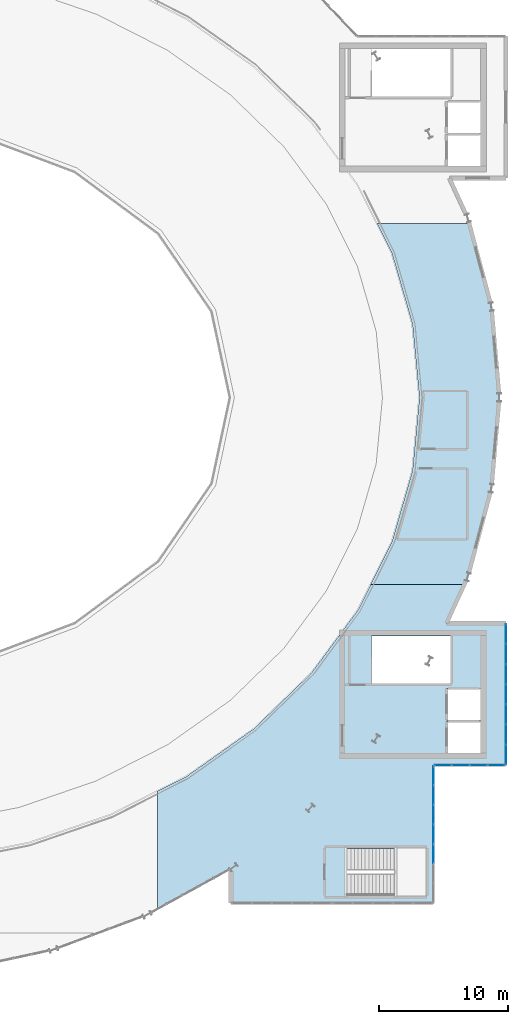
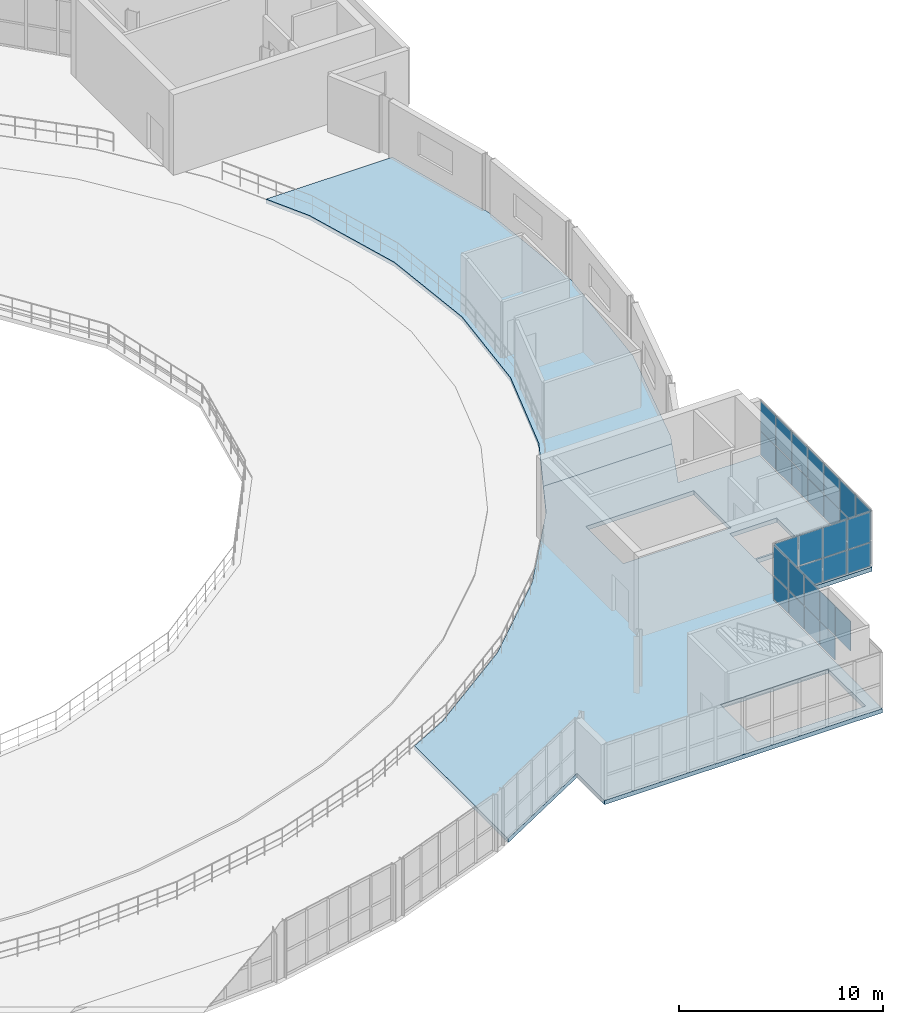
# One storey, part 27 of 40: 31 plates, 2 slabs, 3 elements without a shape of their own.
"""IFC4 building model written with IfcOpenShell, lengths in metres."""

from ifc_helpers import new_model, si_unit, direction, frame, origin, origin_2d, place, context, subcontext, project, spatial, polyline, rectangle, outline, extrude, material, layer, layer_set, type_object, element, aggregate, save


model = new_model("IFC4")

# Units and contexts
model_context = context("Model", 3, precision=1e-05, world=origin(), true_north=direction((0.0, 1.0)))
body_context = subcontext(model_context, "Body", "Model", "MODEL_VIEW")
ifc_project = project(units=[si_unit("LENGTHUNIT", "METRE"), si_unit("AREAUNIT", "SQUARE_METRE"), si_unit("VOLUMEUNIT", "CUBIC_METRE"), si_unit("PLANEANGLEUNIT", "RADIAN"), si_unit("MASSUNIT", "GRAM", prefix="KILO")], contexts=[model_context])

# Site, building, storey
site_placement = place(None, origin())
site = spatial("IfcSite", under=ifc_project, at=site_placement, CompositionType="ELEMENT")
building_placement = place(site_placement, origin())
building = spatial("IfcBuilding", under=site, at=building_placement, Name="Glasvene Arena", CompositionType="ELEMENT")
storey_placement = place(building_placement, frame((0.0, 0.0, 24.0)))
storey = spatial("IfcBuildingStorey", under=building, at=storey_placement, Name="L05", CompositionType="ELEMENT", Elevation=24.0)

# Curtain wall, plates
ifc_material_1 = material(Name="Low-emissivity laminated double glazing", Category="glass")
curtain_wall_type_1 = type_object("IfcCurtainWallType", Name="CW-FAC-L05-1092x332", PredefinedType="USERDEFINED", material=ifc_material_1)
curtain_wall_1_placement = place(storey_placement, frame((142.5, 55.4599609375, 0.0)))
curtain_wall_1 = element("IfcCurtainWall", 1, at=curtain_wall_1_placement, inside=storey, type_object=curtain_wall_type_1, Name="Unitised curtain wall CW-F-L05-150-1425-500-35", ObjectType="CURTAIN WALL", PredefinedType="USERDEFINED")
ifc_layer_1 = layer(ifc_material_1, 0.028076171875)
ifc_layer_set_1 = layer_set([ifc_layer_1], Name="Low-emissivity laminated double glazing")
plate_type = type_object("IfcPlateType", Name="CW-GLZ-28", PredefinedType="CURTAIN_PANEL", material=ifc_layer_set_1)
plate_1_placement = place(storey_placement, frame((142.5, 54.66748046875, 0.10986328125), z_axis=(0.0, 0.0, 1.0), x_axis=(0.0, -1.0, 0.0)))
plate_1 = element("IfcPlate", 2, at=plate_1_placement, type_object=plate_type, Name="CW-055 panel 1.1", PredefinedType="CURTAIN_PANEL", context=body_context, shape_type="SweptSolid", body=[
    extrude(rectangle(XDim=1.485107421875, YDim=0.028076171875, at=origin_2d()), origin(), (0.0, 0.0, 1.0), 1.385986328125),
])
plate_2_placement = place(storey_placement, frame((142.5, 54.66748046875, 1.5458984375), z_axis=(0.0, 0.0, 1.0), x_axis=(0.0, -1.0, 0.0)))
plate_2 = element("IfcPlate", 3, at=plate_2_placement, type_object=plate_type, Name="CW-055 panel 1.2", PredefinedType="CURTAIN_PANEL", context=body_context, shape_type="SweptSolid", body=[
    extrude(rectangle(XDim=1.485107421875, YDim=0.028076171875, at=origin_2d()), origin(), (0.0, 0.0, 1.0), 1.783935546875),
])
plate_3_placement = place(storey_placement, frame((142.5, 53.1201171875, 0.10986328125), z_axis=(0.0, 0.0, 1.0), x_axis=(0.0, -1.0, 0.0)))
plate_3 = element("IfcPlate", 4, at=plate_3_placement, type_object=plate_type, Name="CW-055 panel 2.1", PredefinedType="CURTAIN_PANEL", context=body_context, shape_type="SweptSolid", body=[
    extrude(rectangle(XDim=1.510009765625, YDim=0.028076171875, at=origin_2d()), origin(), (0.0, 0.0, 1.0), 1.385986328125),
])
plate_4_placement = place(storey_placement, frame((142.5, 53.1201171875, 1.5458984375), z_axis=(0.0, 0.0, 1.0), x_axis=(0.0, -1.0, 0.0)))
plate_4 = element("IfcPlate", 5, at=plate_4_placement, type_object=plate_type, Name="CW-055 panel 2.2", PredefinedType="CURTAIN_PANEL", context=body_context, shape_type="SweptSolid", body=[
    extrude(rectangle(XDim=1.510009765625, YDim=0.028076171875, at=origin_2d()), origin(), (0.0, 0.0, 1.0), 1.783935546875),
])
plate_5_placement = place(storey_placement, frame((142.5, 51.56005859375, 0.10986328125), z_axis=(0.0, 0.0, 1.0), x_axis=(0.0, -1.0, 0.0)))
plate_5 = element("IfcPlate", 6, at=plate_5_placement, type_object=plate_type, Name="CW-055 panel 3.1", PredefinedType="CURTAIN_PANEL", context=body_context, shape_type="SweptSolid", body=[
    extrude(rectangle(XDim=1.510009765625, YDim=0.028076171875, at=origin_2d()), origin(), (0.0, 0.0, 1.0), 1.385986328125),
])
plate_6_placement = place(storey_placement, frame((142.5, 51.56005859375, 1.5458984375), z_axis=(0.0, 0.0, 1.0), x_axis=(0.0, -1.0, 0.0)))
plate_6 = element("IfcPlate", 7, at=plate_6_placement, type_object=plate_type, Name="CW-055 panel 3.2", PredefinedType="CURTAIN_PANEL", context=body_context, shape_type="SweptSolid", body=[
    extrude(rectangle(XDim=1.510009765625, YDim=0.028076171875, at=origin_2d()), origin(), (0.0, 0.0, 1.0), 1.783935546875),
])
plate_7_placement = place(storey_placement, frame((142.5, 50.0, 0.10986328125), z_axis=(0.0, 0.0, 1.0), x_axis=(0.0, -1.0, 0.0)))
plate_7 = element("IfcPlate", 8, at=plate_7_placement, type_object=plate_type, Name="CW-055 panel 4.1", PredefinedType="CURTAIN_PANEL", context=body_context, shape_type="SweptSolid", body=[
    extrude(rectangle(XDim=1.510009765625, YDim=0.028076171875, at=origin_2d()), origin(), (0.0, 0.0, 1.0), 1.385986328125),
])
plate_8_placement = place(storey_placement, frame((142.5, 50.0, 1.5458984375), z_axis=(0.0, 0.0, 1.0), x_axis=(0.0, -1.0, 0.0)))
plate_8 = element("IfcPlate", 9, at=plate_8_placement, type_object=plate_type, Name="CW-055 panel 4.2", PredefinedType="CURTAIN_PANEL", context=body_context, shape_type="SweptSolid", body=[
    extrude(rectangle(XDim=1.510009765625, YDim=0.028076171875, at=origin_2d()), origin(), (0.0, 0.0, 1.0), 1.783935546875),
])
plate_9_placement = place(storey_placement, frame((142.5, 48.43994140625, 0.10986328125), z_axis=(0.0, 0.0, 1.0), x_axis=(0.0, -1.0, 0.0)))
plate_9 = element("IfcPlate", 10, at=plate_9_placement, type_object=plate_type, Name="CW-055 panel 5.1", PredefinedType="CURTAIN_PANEL", context=body_context, shape_type="SweptSolid", body=[
    extrude(rectangle(XDim=1.510009765625, YDim=0.028076171875, at=origin_2d()), origin(), (0.0, 0.0, 1.0), 1.385986328125),
])
plate_10_placement = place(storey_placement, frame((142.5, 48.43994140625, 1.5458984375), z_axis=(0.0, 0.0, 1.0), x_axis=(0.0, -1.0, 0.0)))
plate_10 = element("IfcPlate", 11, at=plate_10_placement, type_object=plate_type, Name="CW-055 panel 5.2", PredefinedType="CURTAIN_PANEL", context=body_context, shape_type="SweptSolid", body=[
    extrude(rectangle(XDim=1.510009765625, YDim=0.028076171875, at=origin_2d()), origin(), (0.0, 0.0, 1.0), 1.783935546875),
])
plate_11_placement = place(storey_placement, frame((142.5, 46.8798828125, 0.10986328125), z_axis=(0.0, 0.0, 1.0), x_axis=(0.0, -1.0, 0.0)))
plate_11 = element("IfcPlate", 12, at=plate_11_placement, type_object=plate_type, Name="CW-055 panel 6.1", PredefinedType="CURTAIN_PANEL", context=body_context, shape_type="SweptSolid", body=[
    extrude(rectangle(XDim=1.510009765625, YDim=0.028076171875, at=origin_2d()), origin(), (0.0, 0.0, 1.0), 1.385986328125),
])
plate_12_placement = place(storey_placement, frame((142.5, 46.8798828125, 1.5458984375), z_axis=(0.0, 0.0, 1.0), x_axis=(0.0, -1.0, 0.0)))
plate_12 = element("IfcPlate", 13, at=plate_12_placement, type_object=plate_type, Name="CW-055 panel 6.2", PredefinedType="CURTAIN_PANEL", context=body_context, shape_type="SweptSolid", body=[
    extrude(rectangle(XDim=1.510009765625, YDim=0.028076171875, at=origin_2d()), origin(), (0.0, 0.0, 1.0), 1.783935546875),
])
plate_13_placement = place(storey_placement, frame((142.5, 45.33251953125, 0.10986328125), z_axis=(0.0, 0.0, 1.0), x_axis=(0.0, -1.0, 0.0)))
plate_13 = element("IfcPlate", 14, at=plate_13_placement, type_object=plate_type, Name="CW-055 panel 7.1", PredefinedType="CURTAIN_PANEL", context=body_context, shape_type="SweptSolid", body=[
    extrude(rectangle(XDim=1.485107421875, YDim=0.028076171875, at=origin_2d()), origin(), (0.0, 0.0, 1.0), 1.385986328125),
])
plate_14_placement = place(storey_placement, frame((142.5, 45.33251953125, 1.5458984375), z_axis=(0.0, 0.0, 1.0), x_axis=(0.0, -1.0, 0.0)))
plate_14 = element("IfcPlate", 15, at=plate_14_placement, type_object=plate_type, Name="CW-055 panel 7.2", PredefinedType="CURTAIN_PANEL", context=body_context, shape_type="SweptSolid", body=[
    extrude(rectangle(XDim=1.485107421875, YDim=0.028076171875, at=origin_2d()), origin(), (0.0, 0.0, 1.0), 1.783935546875),
])
aggregate(curtain_wall_1, [plate_1, plate_2, plate_3, plate_4, plate_5, plate_6, plate_7, plate_8, plate_9, plate_10, plate_11, plate_12, plate_13, plate_14])

curtain_wall_type_2 = type_object("IfcCurtainWallType", Name="CW-FAC-L05-552x332", PredefinedType="USERDEFINED", material=ifc_material_1)
curtain_wall_2_placement = place(storey_placement, frame((142.4599609375, 44.5, 0.0)))
curtain_wall_2 = element("IfcCurtainWall", 16, at=curtain_wall_2_placement, inside=storey, type_object=curtain_wall_type_2, Name="Unitised curtain wall CW-F-L05-150-1397-445-36", ObjectType="CURTAIN WALL", PredefinedType="USERDEFINED")
plate_15_placement = place(storey_placement, frame((141.757568359375, 44.5, 0.10986328125), z_axis=(0.0, 0.0, 1.0), x_axis=(-1.0, 0.0, 0.0)))
plate_15 = element("IfcPlate", 17, at=plate_15_placement, type_object=plate_type, Name="CW-067 panel 1.1", PredefinedType="CURTAIN_PANEL", context=body_context, shape_type="SweptSolid", body=[
    extrude(rectangle(XDim=1.304931640625, YDim=0.028076171875, at=origin_2d()), origin(), (0.0, 0.0, 1.0), 1.385986328125),
])
plate_16_placement = place(storey_placement, frame((141.757568359375, 44.5, 1.5458984375), z_axis=(0.0, 0.0, 1.0), x_axis=(-1.0, 0.0, 0.0)))
plate_16 = element("IfcPlate", 18, at=plate_16_placement, type_object=plate_type, Name="CW-067 panel 1.2", PredefinedType="CURTAIN_PANEL", context=body_context, shape_type="SweptSolid", body=[
    extrude(rectangle(XDim=1.304931640625, YDim=0.028076171875, at=origin_2d()), origin(), (0.0, 0.0, 1.0), 1.783935546875),
])
plate_17_placement = place(storey_placement, frame((140.389892578125, 44.5, 0.10986328125), z_axis=(0.0, 0.0, 1.0), x_axis=(-1.0, 0.0, 0.0)))
plate_17 = element("IfcPlate", 19, at=plate_17_placement, type_object=plate_type, Name="CW-067 panel 2.1", PredefinedType="CURTAIN_PANEL", context=body_context, shape_type="SweptSolid", body=[
    extrude(rectangle(XDim=1.330078125, YDim=0.028076171875, at=origin_2d()), origin(), (0.0, 0.0, 1.0), 1.385986328125),
])
plate_18_placement = place(storey_placement, frame((140.389892578125, 44.5, 1.5458984375), z_axis=(0.0, 0.0, 1.0), x_axis=(-1.0, 0.0, 0.0)))
plate_18 = element("IfcPlate", 20, at=plate_18_placement, type_object=plate_type, Name="CW-067 panel 2.2", PredefinedType="CURTAIN_PANEL", context=body_context, shape_type="SweptSolid", body=[
    extrude(rectangle(XDim=1.330078125, YDim=0.028076171875, at=origin_2d()), origin(), (0.0, 0.0, 1.0), 1.783935546875),
])
plate_19_placement = place(storey_placement, frame((139.010009765625, 44.5, 0.10986328125), z_axis=(0.0, 0.0, 1.0), x_axis=(-1.0, 0.0, 0.0)))
plate_19 = element("IfcPlate", 21, at=plate_19_placement, type_object=plate_type, Name="CW-067 panel 3.1", PredefinedType="CURTAIN_PANEL", context=body_context, shape_type="SweptSolid", body=[
    extrude(rectangle(XDim=1.330078125, YDim=0.028076171875, at=origin_2d()), origin(), (0.0, 0.0, 1.0), 1.385986328125),
])
plate_20_placement = place(storey_placement, frame((139.010009765625, 44.5, 1.5458984375), z_axis=(0.0, 0.0, 1.0), x_axis=(-1.0, 0.0, 0.0)))
plate_20 = element("IfcPlate", 22, at=plate_20_placement, type_object=plate_type, Name="CW-067 panel 3.2", PredefinedType="CURTAIN_PANEL", context=body_context, shape_type="SweptSolid", body=[
    extrude(rectangle(XDim=1.330078125, YDim=0.028076171875, at=origin_2d()), origin(), (0.0, 0.0, 1.0), 1.783935546875),
])
plate_21_placement = place(storey_placement, frame((137.642578125, 44.5, 0.10986328125), z_axis=(0.0, 0.0, 1.0), x_axis=(-1.0, 0.0, 0.0)))
plate_21 = element("IfcPlate", 23, at=plate_21_placement, type_object=plate_type, Name="CW-067 panel 4.1", PredefinedType="CURTAIN_PANEL", context=body_context, shape_type="SweptSolid", body=[
    extrude(rectangle(XDim=1.304931640625, YDim=0.028076171875, at=origin_2d()), origin(), (0.0, 0.0, 1.0), 1.385986328125),
])
plate_22_placement = place(storey_placement, frame((137.642578125, 44.5, 1.5458984375), z_axis=(0.0, 0.0, 1.0), x_axis=(-1.0, 0.0, 0.0)))
plate_22 = element("IfcPlate", 24, at=plate_22_placement, type_object=plate_type, Name="CW-067 panel 4.2", PredefinedType="CURTAIN_PANEL", context=body_context, shape_type="SweptSolid", body=[
    extrude(rectangle(XDim=1.304931640625, YDim=0.028076171875, at=origin_2d()), origin(), (0.0, 0.0, 1.0), 1.783935546875),
])
aggregate(curtain_wall_2, [plate_15, plate_16, plate_17, plate_18, plate_19, plate_20, plate_21, plate_22])

curtain_wall_type_3 = type_object("IfcCurtainWallType", Name="CW-FAC-L05-1062x332", PredefinedType="USERDEFINED", material=ifc_material_1)
curtain_wall_3_placement = place(storey_placement, frame((136.89990234375, 44.4599609375, 0.0)))
curtain_wall_3 = element("IfcCurtainWall", 25, at=curtain_wall_3_placement, inside=storey, type_object=curtain_wall_type_3, Name="Unitised curtain wall CW-F-L05-150-1369-392-37", ObjectType="CURTAIN WALL", PredefinedType="USERDEFINED")
plate_23_placement = place(storey_placement, frame((136.89990234375, 43.68896484375, 0.10986328125), z_axis=(0.0, 0.0, 1.0), x_axis=(0.0, -1.0, 0.0)))
plate_23 = element("IfcPlate", 26, at=plate_23_placement, type_object=plate_type, Name="CW-054 panel 1.1", PredefinedType="CURTAIN_PANEL", context=body_context, shape_type="SweptSolid", body=[
    extrude(rectangle(XDim=1.442138671875, YDim=0.028076171875, at=origin_2d()), origin(), (0.0, 0.0, 1.0), 1.385986328125),
])
plate_24_placement = place(storey_placement, frame((136.89990234375, 43.68896484375, 1.5458984375), z_axis=(0.0, 0.0, 1.0), x_axis=(0.0, -1.0, 0.0)))
plate_24 = element("IfcPlate", 27, at=plate_24_placement, type_object=plate_type, Name="CW-054 panel 1.2", PredefinedType="CURTAIN_PANEL", context=body_context, shape_type="SweptSolid", body=[
    extrude(rectangle(XDim=1.442138671875, YDim=0.028076171875, at=origin_2d()), origin(), (0.0, 0.0, 1.0), 1.783935546875),
])
plate_25_placement = place(storey_placement, frame((136.89990234375, 42.184326171875, 0.10986328125), z_axis=(0.0, 0.0, 1.0), x_axis=(0.0, -1.0, 0.0)))
plate_25 = element("IfcPlate", 28, at=plate_25_placement, type_object=plate_type, Name="CW-054 panel 2.1", PredefinedType="CURTAIN_PANEL", context=body_context, shape_type="SweptSolid", body=[
    extrude(rectangle(XDim=1.467041015625, YDim=0.028076171875, at=origin_2d()), origin(), (0.0, 0.0, 1.0), 1.385986328125),
])
plate_26_placement = place(storey_placement, frame((136.89990234375, 42.184326171875, 1.5458984375), z_axis=(0.0, 0.0, 1.0), x_axis=(0.0, -1.0, 0.0)))
plate_26 = element("IfcPlate", 29, at=plate_26_placement, type_object=plate_type, Name="CW-054 panel 2.2", PredefinedType="CURTAIN_PANEL", context=body_context, shape_type="SweptSolid", body=[
    extrude(rectangle(XDim=1.467041015625, YDim=0.028076171875, at=origin_2d()), origin(), (0.0, 0.0, 1.0), 1.783935546875),
])
plate_27_placement = place(storey_placement, frame((136.89990234375, 40.667236328125, 0.10986328125), z_axis=(0.0, 0.0, 1.0), x_axis=(0.0, -1.0, 0.0)))
plate_27 = element("IfcPlate", 30, at=plate_27_placement, type_object=plate_type, Name="CW-054 panel 3.1", PredefinedType="CURTAIN_PANEL", context=body_context, shape_type="SweptSolid", body=[
    extrude(rectangle(XDim=1.467041015625, YDim=0.028076171875, at=origin_2d()), origin(), (0.0, 0.0, 1.0), 1.385986328125),
])
plate_28_placement = place(storey_placement, frame((136.89990234375, 40.667236328125, 1.5458984375), z_axis=(0.0, 0.0, 1.0), x_axis=(0.0, -1.0, 0.0)))
plate_28 = element("IfcPlate", 31, at=plate_28_placement, type_object=plate_type, Name="CW-054 panel 3.2", PredefinedType="CURTAIN_PANEL", context=body_context, shape_type="SweptSolid", body=[
    extrude(rectangle(XDim=1.467041015625, YDim=0.028076171875, at=origin_2d()), origin(), (0.0, 0.0, 1.0), 1.783935546875),
])
plate_29_placement = place(storey_placement, frame((136.89990234375, 39.14990234375, 0.10986328125), z_axis=(0.0, 0.0, 1.0), x_axis=(0.0, -1.0, 0.0)))
plate_29 = element("IfcPlate", 32, at=plate_29_placement, type_object=plate_type, Name="CW-054 panel 4.1", PredefinedType="CURTAIN_PANEL", context=body_context, shape_type="SweptSolid", body=[
    extrude(rectangle(XDim=1.467041015625, YDim=0.028076171875, at=origin_2d()), origin(), (0.0, 0.0, 1.0), 1.385986328125),
])
plate_30_placement = place(storey_placement, frame((136.89990234375, 39.14990234375, 1.5458984375), z_axis=(0.0, 0.0, 1.0), x_axis=(0.0, -1.0, 0.0)))
plate_30 = element("IfcPlate", 33, at=plate_30_placement, type_object=plate_type, Name="CW-054 panel 4.2", PredefinedType="CURTAIN_PANEL", context=body_context, shape_type="SweptSolid", body=[
    extrude(rectangle(XDim=1.467041015625, YDim=0.028076171875, at=origin_2d()), origin(), (0.0, 0.0, 1.0), 1.783935546875),
])
plate_31_placement = place(storey_placement, frame((136.89990234375, 37.6328125, 1.5458984375), z_axis=(0.0, 0.0, 1.0), x_axis=(0.0, -1.0, 0.0)))
plate_31 = element("IfcPlate", 34, at=plate_31_placement, type_object=plate_type, Name="CW-054 panel 5.2", PredefinedType="CURTAIN_PANEL", context=body_context, shape_type="SweptSolid", body=[
    extrude(rectangle(XDim=1.467041015625, YDim=0.028076171875, at=origin_2d()), origin(), (0.0, 0.0, 1.0), 1.783935546875),
])
aggregate(curtain_wall_3, [plate_23, plate_24, plate_25, plate_26, plate_27, plate_28, plate_29, plate_30, plate_31])

# Slabs
ifc_material_2 = material(Name="Concrete C40/50", Category="concrete")
ifc_layer_2 = layer(ifc_material_2, 0.25)
ifc_layer_set_2 = layer_set([ifc_layer_2], Name="Concrete C40/50")
slab_type = type_object("IfcSlabType", Name="SL-UPPER-250", PredefinedType="FLOOR", material=ifc_layer_set_2)
slab_1_placement = place(storey_placement, frame((129.371337890625, 46.405029296875, -0.25)))
element("IfcSlab", 35, at=slab_1_placement, inside=storey, type_object=slab_type, Name="Structural floor slab L05 sector 2-5 (121)", PredefinedType="FLOOR", context=body_context, shape_type="SweptSolid", body=[
    extrude(outline(polyline([(13.128662109375, 9.094970703125), (13.128662109375, -1.905029296875), (7.528564453125, -1.905029296875), (7.528564453125, -12.60498046875), (-8.17138671875, -12.60498046875), (-8.17138671875, -9.915283203125), (-13.871337890625, -13.058837890625), (-13.871337890625, -3.91259765625), (-11.626220703125, -2.772216796875), (-6.400146484375, 0.927001953125), (-1.9365234375, 5.25830078125), (1.65478515625, 10.114990234375), (2.644287109375, 12.094970703125), (9.907958984375, 12.094970703125), (8.52734375, 9.094970703125), (13.128662109375, 9.094970703125)]), holes=[polyline([(0.83056640625, -8.35498046875), (0.83056640625, -12.005126953125), (6.9287109375, -12.005126953125), (6.9287109375, -8.35498046875), (0.83056640625, -8.35498046875)]), polyline([(11.1787109375, 1.494873046875), (8.528564453125, 1.494873046875), (8.528564453125, -0.955078125), (11.1787109375, -0.955078125), (11.1787109375, 1.494873046875)]), polyline([(11.1787109375, 4.044921875), (8.528564453125, 4.044921875), (8.528564453125, 1.594970703125), (11.1787109375, 1.594970703125), (11.1787109375, 4.044921875)]), polyline([(8.82861328125, 8.094970703125), (2.730712890625, 8.094970703125), (2.730712890625, 4.445068359375), (8.82861328125, 4.445068359375), (8.82861328125, 8.094970703125)])]), origin(), (0.0, 0.0, 1.0), 0.25),
])
slab_2_placement = place(storey_placement, frame((137.032958984375, 71.7763671875, -0.25)))
element("IfcSlab", 36, at=slab_2_placement, inside=storey, type_object=slab_type, Name="Structural floor slab L05 sector 3-5 (123)", PredefinedType="FLOOR", context=body_context, shape_type="SweptSolid", body=[
    extrude(outline(polyline([(4.3515625, 8.26318359375), (4.967041015625, 1.2236328125), (4.3515625, -5.81591796875), (2.519775390625, -12.68212890625), (2.246337890625, -13.2763671875), (-5.017333984375, -13.2763671875), (-3.376708984375, -9.99365234375), (-1.772216796875, -4.455078125), (-1.23291015625, 1.2236328125), (-1.772216796875, 6.90234375), (-3.376708984375, 12.44091796875), (-4.517578125, 14.7236328125), (2.6279296875, 14.7236328125), (4.3515625, 8.26318359375)])), origin(), (0.0, 0.0, 1.0), 0.25),
])

save(model, "model.ifc")
